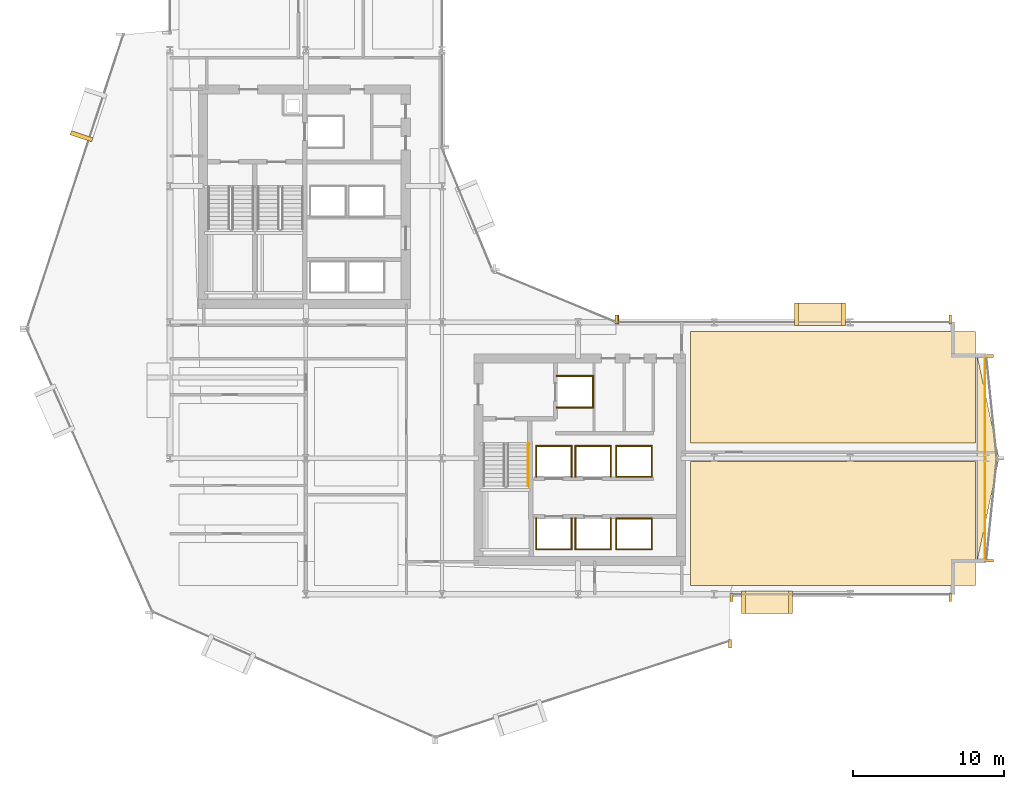
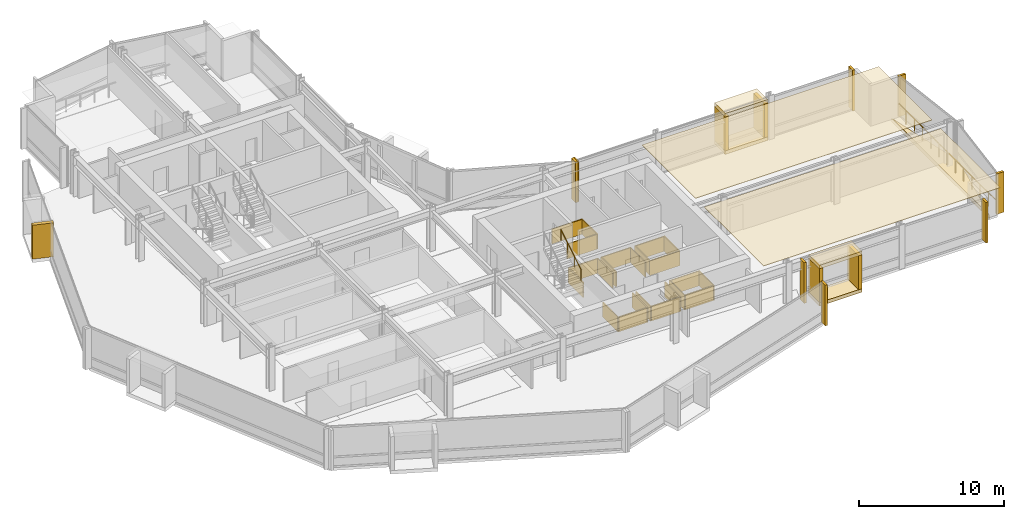
# One storey, part 32 of 34: 43 coverings, 2 railings.
"""IFC4 building model written with IfcOpenShell, lengths in metres."""

from ifc_helpers import new_model, si_unit, direction, frame, origin, origin_2d, place, context, subcontext, project, spatial, polyline, rectangle, circle, outline, extrude, material, layer, layer_set, type_object, element, save


model = new_model("IFC4")

# Units and contexts
model_context = context("Model", 3, precision=1e-05, world=origin(), true_north=direction((0.0, 1.0)))
body_context = subcontext(model_context, "Body", "Model", "MODEL_VIEW")
ifc_project = project(units=[si_unit("LENGTHUNIT", "METRE"), si_unit("AREAUNIT", "SQUARE_METRE"), si_unit("VOLUMEUNIT", "CUBIC_METRE"), si_unit("PLANEANGLEUNIT", "RADIAN"), si_unit("MASSUNIT", "GRAM", prefix="KILO")], contexts=[model_context])

# Site, building, storey
site_placement = place(None, origin())
site = spatial("IfcSite", under=ifc_project, at=site_placement, CompositionType="ELEMENT")
building_placement = place(site_placement, origin())
building = spatial("IfcBuilding", under=site, at=building_placement, Name="Solvaryn Broadcast Tower", CompositionType="ELEMENT")
storey_placement = place(building_placement, frame((0.0, 0.0, 61.89990234375)))
storey = spatial("IfcBuildingStorey", under=building, at=storey_placement, Name="L14", CompositionType="ELEMENT", Elevation=61.89990234375)

# Coverings
ifc_material_1 = material(Name="Micro-Perforated Acoustic Gypsum Ceiling", Category="concrete")
ifc_layer_1 = layer(ifc_material_1, 0.0400390625)
ifc_layer_set_1 = layer_set([ifc_layer_1], Name="CV-CEIL-ACOUSTIC")
covering_type_1 = type_object("IfcCoveringType", Name="CV-CEIL-ACOUSTIC", PredefinedType="CEILING", material=ifc_layer_set_1)
covering_1_placement = place(storey_placement, frame((0.0, 0.0, 3.380126953125)))
element("IfcCovering", 1, at=covering_1_placement, inside=storey, type_object=covering_type_1, Name="L14 Room Acoustic Ceiling 10", PredefinedType="CEILING", context=body_context, shape_type="SweptSolid", body=[
    extrude(outline(polyline([(43.449951171875, 9.60009765625), (62.300048828125, 9.60009765625), (62.300048828125, 17.800048828125), (43.449951171875, 17.800048828125), (43.449951171875, 9.60009765625)])), origin(), (0.0, 0.0, 1.0), 0.0400390625),
])
covering_2_placement = place(storey_placement, frame((0.0, 0.0, 3.380126953125)))
element("IfcCovering", 2, at=covering_2_placement, inside=storey, type_object=covering_type_1, Name="L14 Room Acoustic Ceiling 11", PredefinedType="CEILING", context=body_context, shape_type="SweptSolid", body=[
    extrude(outline(polyline([(43.449951171875, 19.0), (62.300048828125, 19.0), (62.300048828125, 26.39990234375), (43.449951171875, 26.39990234375), (43.449951171875, 19.0)])), origin(), (0.0, 0.0, 1.0), 0.0400390625),
])
ifc_material_2 = material(Name="Fire-Rated Gypsum Shaftwall Liner", Category="concrete")
ifc_layer_2 = layer(ifc_material_2, 0.080078125)
ifc_layer_set_2 = layer_set([ifc_layer_2], Name="CV-SHAFT-LINER")
covering_type_2 = type_object("IfcCoveringType", Name="CV-SHAFT-LINER", PredefinedType="CLADDING", material=ifc_layer_set_2)
for number, where, z_axis, x_axis, name in (
    (3, (35.800048828125, 23.43994140625, 0.0), (0.0, 0.0, 1.0), (1.0, 0.0, 0.0), "L14 FL2 Hoistway Shaft Liner North"),
    (4, (35.800048828125, 21.360107421875, 0.0), (0.0, 0.0, 1.0), (1.0, 0.0, 0.0), "L14 FL2 Hoistway Shaft Liner South"),
):
    element("IfcCovering", number, at=place(storey_placement, frame(where, z_axis=z_axis, x_axis=x_axis)), inside=storey, type_object=covering_type_2, Name=name, PredefinedType="CLADDING", context=body_context, shape_type="SweptSolid", body=[
        extrude(rectangle(XDim=2.4599609375, YDim=0.080078125, at=origin_2d()), origin(), (0.0, 0.0, 1.0), 1.25),
    ])
covering_3_placement = place(storey_placement, frame((36.989990234375, 22.39990234375, 0.0), z_axis=(0.0, 0.0, 1.0), x_axis=(1.0, 0.0, 0.0)))
element("IfcCovering", 5, at=covering_3_placement, inside=storey, type_object=covering_type_2, Name="L14 FL2 Hoistway Shaft Liner East", PredefinedType="CLADDING", context=body_context, shape_type="SweptSolid", body=[
    extrude(rectangle(XDim=0.080078125, YDim=2.159912109375, at=origin_2d()), origin(), (0.0, 0.0, 1.0), 1.25),
])
covering_4_placement = place(storey_placement, frame((34.39990234375, 11.985107421875, 0.0), z_axis=(0.0, 0.0, 1.0), x_axis=(1.0, 0.0, 0.0)))
element("IfcCovering", 6, at=covering_4_placement, inside=storey, type_object=covering_type_2, Name="L14 PL1 Hoistway Shaft Liner South", PredefinedType="CLADDING", context=body_context, shape_type="SweptSolid", body=[
    extrude(rectangle(XDim=2.409912109375, YDim=0.080078125, at=origin_2d()), origin(), (0.0, 0.0, 1.0), 1.25),
])
for number, where, z_axis, x_axis, name in (
    (7, (35.56494140625, 13.0, 0.0), (0.0, 0.0, 1.0), (1.0, 0.0, 0.0), "L14 PL1 Hoistway Shaft Liner East"),
    (8, (33.235107421875, 13.0, 0.0), (0.0, 0.0, 1.0), (1.0, 0.0, 0.0), "L14 PL1 Hoistway Shaft Liner West"),
):
    element("IfcCovering", number, at=place(storey_placement, frame(where, z_axis=z_axis, x_axis=x_axis)), inside=storey, type_object=covering_type_2, Name=name, PredefinedType="CLADDING", context=body_context, shape_type="SweptSolid", body=[
        extrude(rectangle(XDim=0.080078125, YDim=2.110107421875, at=origin_2d()), origin(), (0.0, 0.0, 1.0), 1.25),
    ])
covering_5_placement = place(storey_placement, frame((37.0, 11.985107421875, 0.0), z_axis=(0.0, 0.0, 1.0), x_axis=(1.0, 0.0, 0.0)))
element("IfcCovering", 9, at=covering_5_placement, inside=storey, type_object=covering_type_2, Name="L14 PL2 Hoistway Shaft Liner South", PredefinedType="CLADDING", context=body_context, shape_type="SweptSolid", body=[
    extrude(rectangle(XDim=2.409912109375, YDim=0.080078125, at=origin_2d()), origin(), (0.0, 0.0, 1.0), 1.25),
])
for number, where, z_axis, x_axis, name in (
    (10, (38.1650390625, 13.0, 0.0), (0.0, 0.0, 1.0), (1.0, 0.0, 0.0), "L14 PL2 Hoistway Shaft Liner East"),
    (11, (35.8349609375, 13.0, 0.0), (0.0, 0.0, 1.0), (1.0, 0.0, 0.0), "L14 PL2 Hoistway Shaft Liner West"),
):
    element("IfcCovering", number, at=place(storey_placement, frame(where, z_axis=z_axis, x_axis=x_axis)), inside=storey, type_object=covering_type_2, Name=name, PredefinedType="CLADDING", context=body_context, shape_type="SweptSolid", body=[
        extrude(rectangle(XDim=0.080078125, YDim=2.110107421875, at=origin_2d()), origin(), (0.0, 0.0, 1.0), 1.25),
    ])
covering_6_placement = place(storey_placement, frame((34.39990234375, 18.81494140625, 0.0), z_axis=(0.0, 0.0, 1.0), x_axis=(1.0, 0.0, 0.0)))
element("IfcCovering", 12, at=covering_6_placement, inside=storey, type_object=covering_type_2, Name="L14 PL3 Hoistway Shaft Liner North", PredefinedType="CLADDING", context=body_context, shape_type="SweptSolid", body=[
    extrude(rectangle(XDim=2.409912109375, YDim=0.080078125, at=origin_2d()), origin(), (0.0, 0.0, 1.0), 1.25),
])
for number, where, z_axis, x_axis, name in (
    (13, (35.56494140625, 17.800048828125, 0.0), (0.0, 0.0, 1.0), (1.0, 0.0, 0.0), "L14 PL3 Hoistway Shaft Liner East"),
    (14, (33.235107421875, 17.800048828125, 0.0), (0.0, 0.0, 1.0), (1.0, 0.0, 0.0), "L14 PL3 Hoistway Shaft Liner West"),
):
    element("IfcCovering", number, at=place(storey_placement, frame(where, z_axis=z_axis, x_axis=x_axis)), inside=storey, type_object=covering_type_2, Name=name, PredefinedType="CLADDING", context=body_context, shape_type="SweptSolid", body=[
        extrude(rectangle(XDim=0.080078125, YDim=2.110107421875, at=origin_2d()), origin(), (0.0, 0.0, 1.0), 1.25),
    ])
covering_7_placement = place(storey_placement, frame((37.0, 18.81494140625, 0.0), z_axis=(0.0, 0.0, 1.0), x_axis=(1.0, 0.0, 0.0)))
element("IfcCovering", 15, at=covering_7_placement, inside=storey, type_object=covering_type_2, Name="L14 PL4 Hoistway Shaft Liner North", PredefinedType="CLADDING", context=body_context, shape_type="SweptSolid", body=[
    extrude(rectangle(XDim=2.409912109375, YDim=0.080078125, at=origin_2d()), origin(), (0.0, 0.0, 1.0), 1.25),
])
for number, where, z_axis, x_axis, name in (
    (16, (38.1650390625, 17.800048828125, 0.0), (0.0, 0.0, 1.0), (1.0, 0.0, 0.0), "L14 PL4 Hoistway Shaft Liner East"),
    (17, (35.8349609375, 17.800048828125, 0.0), (0.0, 0.0, 1.0), (1.0, 0.0, 0.0), "L14 PL4 Hoistway Shaft Liner West"),
):
    element("IfcCovering", number, at=place(storey_placement, frame(where, z_axis=z_axis, x_axis=x_axis)), inside=storey, type_object=covering_type_2, Name=name, PredefinedType="CLADDING", context=body_context, shape_type="SweptSolid", body=[
        extrude(rectangle(XDim=0.080078125, YDim=2.110107421875, at=origin_2d()), origin(), (0.0, 0.0, 1.0), 1.25),
    ])
for number, where, z_axis, x_axis, name in (
    (18, (39.699951171875, 14.014892578125, 0.0), (0.0, 0.0, 1.0), (1.0, 0.0, 0.0), "L14 PM1 Hoistway Shaft Liner North"),
    (19, (39.699951171875, 11.985107421875, 0.0), (0.0, 0.0, 1.0), (1.0, 0.0, 0.0), "L14 PM1 Hoistway Shaft Liner South"),
):
    element("IfcCovering", number, at=place(storey_placement, frame(where, z_axis=z_axis, x_axis=x_axis)), inside=storey, type_object=covering_type_2, Name=name, PredefinedType="CLADDING", context=body_context, shape_type="SweptSolid", body=[
        extrude(rectangle(XDim=2.409912109375, YDim=0.080078125, at=origin_2d()), origin(), (0.0, 0.0, 1.0), 1.25),
    ])
for number, where, z_axis, x_axis, name in (
    (20, (40.864990234375, 13.0, 0.0), (0.0, 0.0, 1.0), (1.0, 0.0, 0.0), "L14 PM1 Hoistway Shaft Liner East"),
    (21, (38.534912109375, 13.0, 0.0), (0.0, 0.0, 1.0), (1.0, 0.0, 0.0), "L14 PM1 Hoistway Shaft Liner West"),
):
    element("IfcCovering", number, at=place(storey_placement, frame(where, z_axis=z_axis, x_axis=x_axis)), inside=storey, type_object=covering_type_2, Name=name, PredefinedType="CLADDING", context=body_context, shape_type="SweptSolid", body=[
        extrude(rectangle(XDim=0.080078125, YDim=2.110107421875, at=origin_2d()), origin(), (0.0, 0.0, 1.0), 1.25),
    ])
for number, where, z_axis, x_axis, name in (
    (22, (39.699951171875, 18.81494140625, 0.0), (0.0, 0.0, 1.0), (1.0, 0.0, 0.0), "L14 PM2 Hoistway Shaft Liner North"),
    (23, (39.699951171875, 16.784912109375, 0.0), (0.0, 0.0, 1.0), (1.0, 0.0, 0.0), "L14 PM2 Hoistway Shaft Liner South"),
):
    element("IfcCovering", number, at=place(storey_placement, frame(where, z_axis=z_axis, x_axis=x_axis)), inside=storey, type_object=covering_type_2, Name=name, PredefinedType="CLADDING", context=body_context, shape_type="SweptSolid", body=[
        extrude(rectangle(XDim=2.409912109375, YDim=0.080078125, at=origin_2d()), origin(), (0.0, 0.0, 1.0), 1.25),
    ])
for number, where, z_axis, x_axis, name in (
    (24, (40.864990234375, 17.800048828125, 0.0), (0.0, 0.0, 1.0), (1.0, 0.0, 0.0), "L14 PM2 Hoistway Shaft Liner East"),
    (25, (38.534912109375, 17.800048828125, 0.0), (0.0, 0.0, 1.0), (1.0, 0.0, 0.0), "L14 PM2 Hoistway Shaft Liner West"),
):
    element("IfcCovering", number, at=place(storey_placement, frame(where, z_axis=z_axis, x_axis=x_axis)), inside=storey, type_object=covering_type_2, Name=name, PredefinedType="CLADDING", context=body_context, shape_type="SweptSolid", body=[
        extrude(rectangle(XDim=0.080078125, YDim=2.110107421875, at=origin_2d()), origin(), (0.0, 0.0, 1.0), 1.25),
    ])
ifc_material_3 = material(Name="Glazed Architectural Terracotta Rainscreen Cladding", Category="masonry")
ifc_layer_3 = layer(ifc_material_3, 0.280029296875)
ifc_layer_set_3 = layer_set([ifc_layer_3], Name="CV-TC-CLAD")
covering_type_3 = type_object("IfcCoveringType", Name="CV-TC-CLAD", PredefinedType="CLADDING", material=ifc_layer_set_3)
covering_8_placement = place(storey_placement, frame((3.155517578125, 39.298095703125, 0.2802734375), z_axis=(0.0, 0.0, 1.0), x_axis=(-0.311671636848, -0.950189870912, 0.0)))
element("IfcCovering", 26, at=covering_8_placement, inside=storey, type_object=covering_type_3, Name="L14 Projecting Stone Window Box Cheek 1-2", PredefinedType="CLADDING", context=body_context, shape_type="SweptSolid", body=[
    extrude(rectangle(XDim=0.280029296875, YDim=1.5, at=origin_2d()), origin(), (0.0, 0.0, 1.0), 2.860107421875),
])
for number, where, z_axis, x_axis, name in (
    (27, (48.5, 8.469970703125, 3.1298828125), (0.0, 0.0, 1.0), (1.0, 0.0, 0.0), "L14 Projecting Stone Window Box Hood 6"),
    (28, (48.5, 8.469970703125, -0.009765625), (0.0, 0.0, 1.0), (1.0, 0.0, 0.0), "L14 Projecting Stone Window Box Sill 6"),
):
    element("IfcCovering", number, at=place(storey_placement, frame(where, z_axis=z_axis, x_axis=x_axis)), inside=storey, type_object=covering_type_3, Name=name, PredefinedType="CLADDING", context=body_context, shape_type="SweptSolid", body=[
        extrude(rectangle(XDim=3.39990234375, YDim=1.5, at=origin_2d()), origin(), (0.0, 0.0, 1.0), 0.300048828125),
    ])
for number, where, z_axis, x_axis, name in (
    (29, (46.93994140625, 8.469970703125, 0.2802734375), (0.0, 0.0, 1.0), (1.0, 0.0, 0.0), "L14 Projecting Stone Window Box Cheek 6-1"),
    (30, (50.06005859375, 8.469970703125, 0.2802734375), (0.0, 0.0, 1.0), (1.0, 0.0, 0.0), "L14 Projecting Stone Window Box Cheek 6-2"),
):
    element("IfcCovering", number, at=place(storey_placement, frame(where, z_axis=z_axis, x_axis=x_axis)), inside=storey, type_object=covering_type_3, Name=name, PredefinedType="CLADDING", context=body_context, shape_type="SweptSolid", body=[
        extrude(rectangle(XDim=0.280029296875, YDim=1.5, at=origin_2d()), origin(), (0.0, 0.0, 1.0), 2.860107421875),
    ])
for number, where, z_axis, x_axis, name in (
    (31, (52.0, 27.530029296875, 3.1298828125), (0.0, 0.0, 1.0), (1.0, 0.0, 0.0), "L14 Projecting Stone Window Box Hood 7"),
    (32, (52.0, 27.530029296875, -0.009765625), (0.0, 0.0, 1.0), (1.0, 0.0, 0.0), "L14 Projecting Stone Window Box Sill 7"),
):
    element("IfcCovering", number, at=place(storey_placement, frame(where, z_axis=z_axis, x_axis=x_axis)), inside=storey, type_object=covering_type_3, Name=name, PredefinedType="CLADDING", context=body_context, shape_type="SweptSolid", body=[
        extrude(rectangle(XDim=3.39990234375, YDim=1.5, at=origin_2d()), origin(), (0.0, 0.0, 1.0), 0.300048828125),
    ])
for number, where, z_axis, x_axis, name in (
    (33, (50.43994140625, 27.530029296875, 0.2802734375), (0.0, 0.0, 1.0), (1.0, 0.0, 0.0), "L14 Projecting Stone Window Box Cheek 7-1"),
    (34, (53.56005859375, 27.530029296875, 0.2802734375), (0.0, 0.0, 1.0), (1.0, 0.0, 0.0), "L14 Projecting Stone Window Box Cheek 7-2"),
):
    element("IfcCovering", number, at=place(storey_placement, frame(where, z_axis=z_axis, x_axis=x_axis)), inside=storey, type_object=covering_type_3, Name=name, PredefinedType="CLADDING", context=body_context, shape_type="SweptSolid", body=[
        extrude(rectangle(XDim=0.280029296875, YDim=1.5, at=origin_2d()), origin(), (0.0, 0.0, 1.0), 2.860107421875),
    ])
ifc_material_4 = material(Name="Extruded Architectural Terracotta Fin", Category="masonry")
ifc_layer_4 = layer(ifc_material_4, 0.179931640625)
ifc_layer_set_4 = layer_set([ifc_layer_4], Name="CV-TC-FIN")
covering_type_4 = type_object("IfcCoveringType", Name="CV-TC-FIN", PredefinedType="USERDEFINED", material=ifc_layer_set_4)
for number, where, z_axis, x_axis, name in (
    (35, (46.043701171875, 5.735595703125, 0.000244140625), (0.0, 0.0, 1.0), (1.0, 0.0, 0.0), "L14 Terracotta Vertical Fin FIN-L14-DR4-M01"),
    (36, (38.541259765625, 27.177978515625, 0.000244140625), (0.0, 0.0, 1.0), (1.0, 0.0, 0.0), "L14 Terracotta Vertical Fin FIN-L14-CN1-M00"),
    (37, (46.14599609375, 8.8125, 0.000244140625), (0.0, 0.0, 1.0), (1.0, 0.0, 0.0), "L14 Terracotta Vertical Fin FIN-L14-S2-M00"),
    (38, (60.6201171875, 8.8125, 0.000244140625), (0.0, 0.0, 1.0), (1.0, 0.0, 0.0), "L14 Terracotta Vertical Fin FIN-L14-S2-M01"),
):
    element("IfcCovering", number, at=place(storey_placement, frame(where, z_axis=z_axis, x_axis=x_axis)), inside=storey, type_object=covering_type_4, Name=name, ObjectType="FIN", PredefinedType="USERDEFINED", context=body_context, shape_type="SweptSolid", body=[
        extrude(rectangle(XDim=0.179931640625, YDim=0.580078125, at=origin_2d()), origin(), (0.0, 0.0, 1.0), 3.419921875),
    ])
for number, where, z_axis, x_axis, name in (
    (39, (63.190673828125, 24.770263671875, 0.000244140625), (0.0, 0.0, 1.0), (1.0, 0.0, 0.0), "L14 Terracotta Vertical Fin FIN-L14-ET1-M00"),
    (40, (63.190673828125, 11.229736328125, 0.000244140625), (0.0, 0.0, 1.0), (1.0, 0.0, 0.0), "L14 Terracotta Vertical Fin FIN-L14-ET2-M01"),
):
    element("IfcCovering", number, at=place(storey_placement, frame(where, z_axis=z_axis, x_axis=x_axis)), inside=storey, type_object=covering_type_4, Name=name, ObjectType="FIN", PredefinedType="USERDEFINED", context=body_context, shape_type="SweptSolid", body=[
        extrude(rectangle(XDim=0.580078125, YDim=0.179931640625, at=origin_2d()), origin(), (0.0, 0.0, 1.0), 3.419921875),
    ])
for number, where, z_axis, x_axis, name in (
    (41, (38.6298828125, 27.1875, 0.000244140625), (0.0, 0.0, 1.0), (1.0, 0.0, 0.0), "L14 Terracotta Vertical Fin FIN-L14-IH-M00"),
    (42, (60.6201171875, 27.1875, 0.000244140625), (0.0, 0.0, 1.0), (1.0, 0.0, 0.0), "L14 Terracotta Vertical Fin FIN-L14-IH-M01"),
):
    element("IfcCovering", number, at=place(storey_placement, frame(where, z_axis=z_axis, x_axis=x_axis)), inside=storey, type_object=covering_type_4, Name=name, ObjectType="FIN", PredefinedType="USERDEFINED", context=body_context, shape_type="SweptSolid", body=[
        extrude(rectangle(XDim=0.179931640625, YDim=0.580078125, at=origin_2d()), origin(), (0.0, 0.0, 1.0), 3.419921875),
    ])
ifc_material_5 = material(Name="Sculpted Architectural Terracotta Wave Fascia", Category="masonry")
ifc_layer_5 = layer(ifc_material_5, 0.340087890625)
ifc_layer_set_5 = layer_set([ifc_layer_5], Name="CV-WAVE-TRAY")
covering_type_5 = type_object("IfcCoveringType", Name="CV-WAVE-TRAY", PredefinedType="CLADDING", material=ifc_layer_set_5)
covering_9_placement = place(storey_placement, frame((0.0, 0.0, -0.2998046875)))
element("IfcCovering", 43, at=covering_9_placement, inside=storey, type_object=covering_type_5, Name="L14 East Curved Wing Deck", PredefinedType="CLADDING", context=body_context, shape_type="SweptSolid", body=[
    extrude(outline(polyline([(62.39990234375, 11.199951171875), (63.85009765625, 18.0), (62.39990234375, 24.800048828125), (62.39990234375, 11.199951171875)])), origin(), (0.0, 0.0, 1.0), 0.329833984375),
])

# Railings
ifc_material_6 = material(Name="Brushed Stainless Steel Tubular Handrail", Category="steel")
railing_type_1 = type_object("IfcRailingType", Name="RL-STAIR-HANDRAIL", PredefinedType="HANDRAIL", material=ifc_material_6)
railing_1_placement = place(storey_placement, frame((32.699951171875, 16.159912109375, 2.018310546875)))
element("IfcRailing", 44, at=railing_1_placement, inside=storey, type_object=railing_type_1, Name="L14 ST3 stair handrail 2", PredefinedType="HANDRAIL", context=body_context, shape_type="SweptSolid", body=[
    extrude(circle(Radius=0.02392578125, at=origin_2d()), frame((0.0, 0.0, 0.8759765625), z_axis=(0.0, 0.857242210791, 0.514913383045), x_axis=(-1.0, 0.0, 0.0)), (0.0, 0.0, 1.0), 3.266357421875),
    extrude(circle(Radius=0.02099609375, at=origin_2d()), origin(), (0.0, 0.0, 1.0), 0.851806640625),
    extrude(circle(Radius=0.02099609375, at=origin_2d()), frame((0.0, 0.933349609375, 0.560546875)), (0.0, 0.0, 1.0), 0.851806640625),
    extrude(circle(Radius=0.02099609375, at=origin_2d()), frame((0.0, 1.86669921875, 1.121337890625)), (0.0, 0.0, 1.0), 0.851806640625),
    extrude(circle(Radius=0.02099609375, at=origin_2d()), frame((0.0, 2.800048828125, 1.681884765625)), (0.0, 0.0, 1.0), 0.851806640625),
])
ifc_material_7 = material(Name="Stainless Steel and Laminated Glass Guard", Category="steel")
railing_type_2 = type_object("IfcRailingType", Name="RL-TER-1150", PredefinedType="BALUSTRADE", material=ifc_material_7)
railing_2_placement = place(storey_placement, frame((62.919921875, 11.199951171875, 0.0)))
element("IfcRailing", 45, at=railing_2_placement, inside=storey, type_object=railing_type_2, Name="L14 East Wing Spandrel Edge Guard", PredefinedType="BALUSTRADE", context=body_context, shape_type="SweptSolid", body=[
    extrude(circle(Radius=0.02392578125, at=origin_2d()), frame((0.0, 0.0, 1.1259765625), z_axis=(0.0, 1.0, 0.0), x_axis=(-1.0, 0.0, 0.0)), (0.0, 0.0, 1.0), 13.60009765625),
    extrude(circle(Radius=0.02099609375, at=origin_2d()), origin(), (0.0, 0.0, 1.0), 1.101806640625),
    extrude(circle(Radius=0.02099609375, at=origin_2d()), frame((0.0, 1.13330078125, 0.0)), (0.0, 0.0, 1.0), 1.101806640625),
    extrude(circle(Radius=0.02099609375, at=origin_2d()), frame((0.0, 2.2666015625, 0.0)), (0.0, 0.0, 1.0), 1.101806640625),
    extrude(circle(Radius=0.02099609375, at=origin_2d()), frame((0.0, 3.39990234375, 0.0)), (0.0, 0.0, 1.0), 1.101806640625),
    extrude(circle(Radius=0.02099609375, at=origin_2d()), frame((0.0, 4.533447265625, 0.0)), (0.0, 0.0, 1.0), 1.101806640625),
    extrude(circle(Radius=0.02099609375, at=origin_2d()), frame((0.0, 5.666748046875, 0.0)), (0.0, 0.0, 1.0), 1.101806640625),
    extrude(circle(Radius=0.02099609375, at=origin_2d()), frame((0.0, 6.800048828125, 0.0)), (0.0, 0.0, 1.0), 1.101806640625),
    extrude(circle(Radius=0.02099609375, at=origin_2d()), frame((0.0, 7.933349609375, 0.0)), (0.0, 0.0, 1.0), 1.101806640625),
    extrude(circle(Radius=0.02099609375, at=origin_2d()), frame((0.0, 9.066650390625, 0.0)), (0.0, 0.0, 1.0), 1.101806640625),
    extrude(circle(Radius=0.02099609375, at=origin_2d()), frame((0.0, 10.2001953125, 0.0)), (0.0, 0.0, 1.0), 1.101806640625),
    extrude(circle(Radius=0.02099609375, at=origin_2d()), frame((0.0, 11.33349609375, 0.0)), (0.0, 0.0, 1.0), 1.101806640625),
    extrude(circle(Radius=0.02099609375, at=origin_2d()), frame((0.0, 12.466796875, 0.0)), (0.0, 0.0, 1.0), 1.101806640625),
    extrude(circle(Radius=0.02099609375, at=origin_2d()), frame((0.0, 13.60009765625, 0.0)), (0.0, 0.0, 1.0), 1.101806640625),
])

save(model, "model.ifc")
